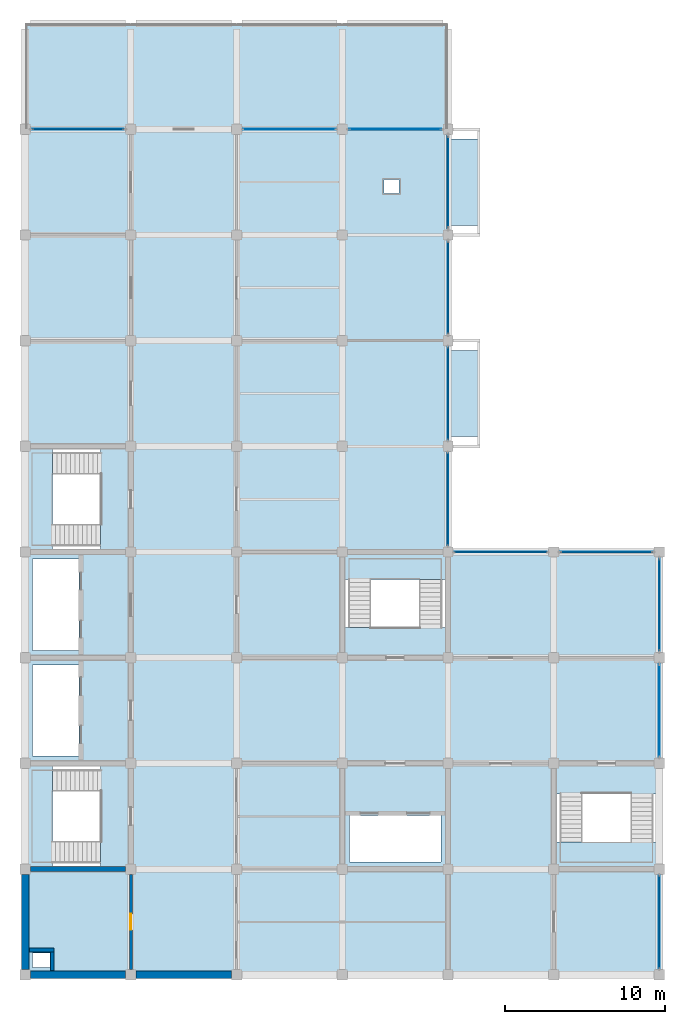
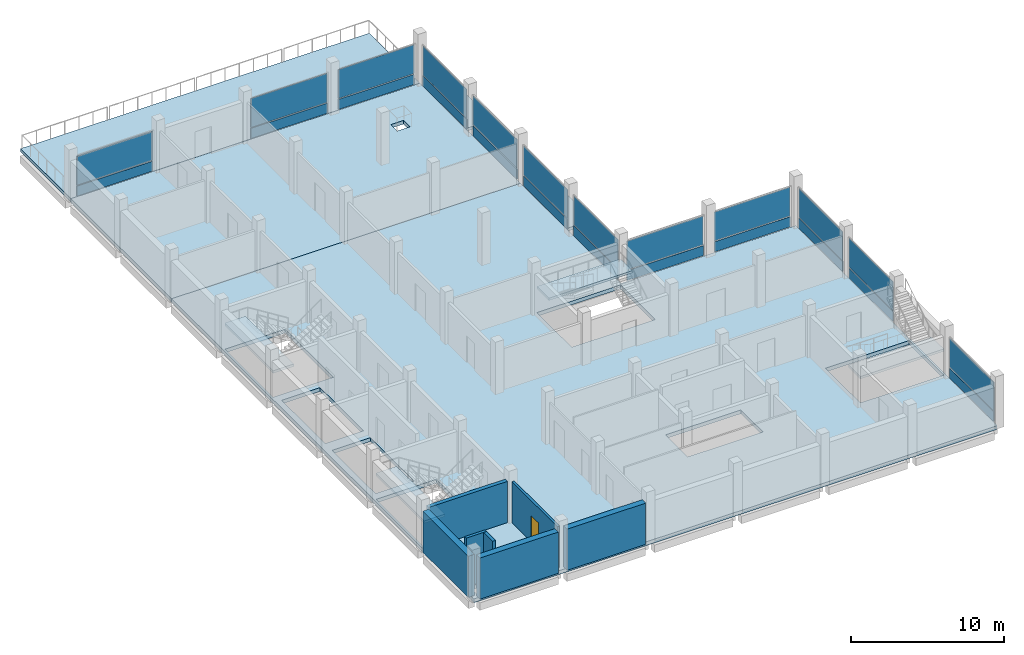
# One storey, part 6 of 11: 24 plates, 9 slabs, 7 walls, 1 door, 1 opening, 16 elements without a shape of their own.
"""IFC4 building model written with IfcOpenShell, lengths in metres."""

from ifc_helpers import new_model, si_unit, direction, frame, frame_2d, origin, origin_2d, place, context, subcontext, project, spatial, polyline, rectangle, outline, extrude, material, layer, layer_set, type_object, element, fill, aggregate, save


model = new_model("IFC4")

# Units and contexts
model_context = context("Model", 3, precision=1e-05, world=origin(), true_north=direction((0.0, 1.0)))
body_context = subcontext(model_context, "Body", "Model", "MODEL_VIEW")
ifc_project = project(units=[si_unit("LENGTHUNIT", "METRE"), si_unit("AREAUNIT", "SQUARE_METRE"), si_unit("VOLUMEUNIT", "CUBIC_METRE"), si_unit("PLANEANGLEUNIT", "RADIAN"), si_unit("MASSUNIT", "GRAM", prefix="KILO")], contexts=[model_context])

# Site, building, storey
site_placement = place(None, origin())
site = spatial("IfcSite", under=ifc_project, at=site_placement, CompositionType="ELEMENT")
building_placement = place(site_placement, origin())
building = spatial("IfcBuilding", under=site, at=building_placement, Name="Rusizi Kubbe Research Institute", CompositionType="ELEMENT")
storey_placement = place(building_placement, frame((0.0, 0.0, 56.39990234375)))
storey = spatial("IfcBuildingStorey", under=building, at=storey_placement, Name="L13", CompositionType="ELEMENT", Elevation=56.39990234375)

# Curtain wall, plate
ifc_material_1 = material(Name="Thermally Broken Aluminium and Low-E Glazing", Category="aluminium")
curtain_wall_type_1 = type_object("IfcCurtainWallType", Name="CW-15", PredefinedType="NOTDEFINED", material=ifc_material_1)
curtain_wall_1_placement = place(storey_placement, origin())
curtain_wall_1 = element("IfcCurtainWall", 1, at=curtain_wall_1_placement, inside=storey, type_object=curtain_wall_type_1, Name="Unitised Facade Curtain Wall CW-L13-H-02-08", PredefinedType="NOTDEFINED")
ifc_material_2 = material(Name="Double Low-E Solar Control Insulated Glass", Category="glass")
ifc_layer_1 = layer(ifc_material_2, 0.02392578125)
ifc_layer_set_1 = layer_set([ifc_layer_1], Name="Double Low-E Solar Control Insulated Glass")
plate_type_1 = type_object("IfcPlateType", Name="GL-01", PredefinedType="CURTAIN_PANEL", material=ifc_layer_set_1)
plate_1_placement = place(storey_placement, frame((16.5, 52.800048828125, 0.93017578125), z_axis=(0.0, 0.0, 1.0), x_axis=(1.0, 0.0, 0.0)))
plate_1 = element("IfcPlate", 2, at=plate_1_placement, type_object=plate_type_1, Name="CW-15 panel 1.2", PredefinedType="CURTAIN_PANEL", context=body_context, shape_type="SweptSolid", body=[
    extrude(rectangle(XDim=5.77001953125, YDim=0.02392578125, at=origin_2d()), origin(), (0.0, 0.0, 1.0), 2.31005859375),
])

curtain_wall_2_placement = place(storey_placement, origin())
curtain_wall_2 = element("IfcCurtainWall", 3, at=curtain_wall_2_placement, inside=storey, type_object=curtain_wall_type_1, Name="Unitised Facade Curtain Wall CW-L13-V-06-02", PredefinedType="NOTDEFINED")
plate_2_placement = place(storey_placement, frame((39.60009765625, 16.5, 0.93017578125), z_axis=(0.0, 0.0, 1.0), x_axis=(0.0, 1.0, 0.0)))
plate_2 = element("IfcPlate", 4, at=plate_2_placement, type_object=plate_type_1, Name="CW-15 panel 1.2", PredefinedType="CURTAIN_PANEL", context=body_context, shape_type="SweptSolid", body=[
    extrude(rectangle(XDim=5.760009765625, YDim=0.02392578125, at=origin_2d()), origin(), (0.0, 0.0, 1.0), 2.31005859375),
])

ifc_material_3 = material(Name="Thermally Broken Aluminium and Low-E Glazing", Category="aluminium")
curtain_wall_type_2 = type_object("IfcCurtainWallType", Name="CW-14", PredefinedType="NOTDEFINED", material=ifc_material_3)
curtain_wall_3_placement = place(storey_placement, origin())
curtain_wall_3 = element("IfcCurtainWall", 5, at=curtain_wall_3_placement, inside=storey, type_object=curtain_wall_type_2, Name="Unitised Facade Curtain Wall CW-L13-V-04-04", PredefinedType="NOTDEFINED")
ifc_material_4 = material(Name="Double Low-E Solar Control Insulated Glass", Category="glass")
ifc_layer_2 = layer(ifc_material_4, 0.028076171875)
ifc_layer_set_2 = layer_set([ifc_layer_2], Name="Double Low-E Solar Control Insulated Glass")
plate_type_2 = type_object("IfcPlateType", Name="GL-02", PredefinedType="CURTAIN_PANEL", material=ifc_layer_set_2)
plate_3_placement = place(storey_placement, frame((26.39990234375, 29.699951171875, 0.93017578125), z_axis=(0.0, 0.0, 1.0), x_axis=(0.0, 1.0, 0.0)))
plate_3 = element("IfcPlate", 6, at=plate_3_placement, type_object=plate_type_2, Name="CW-14 panel 1.2", PredefinedType="CURTAIN_PANEL", context=body_context, shape_type="SweptSolid", body=[
    extrude(rectangle(XDim=5.77001953125, YDim=0.028076171875, at=origin_2d()), origin(), (0.0, 0.0, 1.0), 2.31005859375),
])

curtain_wall_4_placement = place(storey_placement, origin())
curtain_wall_4 = element("IfcCurtainWall", 7, at=curtain_wall_4_placement, inside=storey, type_object=curtain_wall_type_2, Name="Unitised Facade Curtain Wall CW-L13-H-05-04", PredefinedType="NOTDEFINED")
plate_4_placement = place(storey_placement, frame((36.300048828125, 26.39990234375, 0.93017578125), z_axis=(0.0, 0.0, 1.0), x_axis=(1.0, 0.0, 0.0)))
plate_4 = element("IfcPlate", 8, at=plate_4_placement, type_object=plate_type_2, Name="CW-14 panel 1.2", PredefinedType="CURTAIN_PANEL", context=body_context, shape_type="SweptSolid", body=[
    extrude(rectangle(XDim=5.75, YDim=0.028076171875, at=origin_2d()), origin(), (0.0, 0.0, 1.0), 2.31005859375),
])

curtain_wall_5_placement = place(storey_placement, origin())
curtain_wall_5 = element("IfcCurtainWall", 9, at=curtain_wall_5_placement, inside=storey, type_object=curtain_wall_type_1, Name="Unitised Facade Curtain Wall CW-L13-V-04-05", PredefinedType="NOTDEFINED")
ifc_material_5 = material(Name="Double Low-E Solar Control Insulated Glass", Category="glass")
ifc_layer_3 = layer(ifc_material_5, 0.031982421875)
ifc_layer_set_3 = layer_set([ifc_layer_3], Name="Double Low-E Solar Control Insulated Glass")
plate_type_3 = type_object("IfcPlateType", Name="GL-03", PredefinedType="CURTAIN_PANEL", material=ifc_layer_set_3)
plate_5_placement = place(storey_placement, frame((26.39990234375, 36.300048828125, 0.9326171875), z_axis=(0.0, 0.0, 1.0), x_axis=(0.0, 1.0, 0.0)))
plate_5 = element("IfcPlate", 10, at=plate_5_placement, type_object=plate_type_3, Name="CW-15 panel 1.2", PredefinedType="CURTAIN_PANEL", context=body_context, shape_type="SweptSolid", body=[
    extrude(rectangle(XDim=5.760009765625, YDim=0.031982421875, at=origin_2d()), origin(), (0.0, 0.0, 1.0), 2.302490234375),
])

curtain_wall_6_placement = place(storey_placement, origin())
curtain_wall_6 = element("IfcCurtainWall", 11, at=curtain_wall_6_placement, inside=storey, type_object=curtain_wall_type_1, Name="Unitised Facade Curtain Wall CW-L13-V-06-03", PredefinedType="NOTDEFINED")
plate_6_placement = place(storey_placement, frame((39.60009765625, 23.10009765625, 0.9326171875), z_axis=(0.0, 0.0, 1.0), x_axis=(0.0, 1.0, 0.0)))
plate_6 = element("IfcPlate", 12, at=plate_6_placement, type_object=plate_type_3, Name="CW-15 panel 1.2", PredefinedType="CURTAIN_PANEL", context=body_context, shape_type="SweptSolid", body=[
    extrude(rectangle(XDim=5.739990234375, YDim=0.031982421875, at=origin_2d()), origin(), (0.0, 0.0, 1.0), 2.302490234375),
])

curtain_wall_7_placement = place(storey_placement, origin())
curtain_wall_7 = element("IfcCurtainWall", 13, at=curtain_wall_7_placement, inside=storey, type_object=curtain_wall_type_2, Name="Unitised Facade Curtain Wall CW-L13-V-04-06", PredefinedType="NOTDEFINED")
ifc_material_6 = material(Name="Double Low-E Solar Control Insulated Glass", Category="glass")
ifc_layer_4 = layer(ifc_material_6, 0.035888671875)
ifc_layer_set_4 = layer_set([ifc_layer_4], Name="Double Low-E Solar Control Insulated Glass")
plate_type_4 = type_object("IfcPlateType", Name="GL-04", PredefinedType="CURTAIN_PANEL", material=ifc_layer_set_4)
plate_7_placement = place(storey_placement, frame((26.39990234375, 42.89990234375, 0.93505859375), z_axis=(0.0, 0.0, 1.0), x_axis=(0.0, 1.0, 0.0)))
plate_7 = element("IfcPlate", 14, at=plate_7_placement, type_object=plate_type_4, Name="CW-14 panel 1.2", PredefinedType="CURTAIN_PANEL", context=body_context, shape_type="SweptSolid", body=[
    extrude(rectangle(XDim=5.75, YDim=0.035888671875, at=origin_2d()), origin(), (0.0, 0.0, 1.0), 2.294921875),
])

curtain_wall_8_placement = place(storey_placement, origin())
curtain_wall_8 = element("IfcCurtainWall", 15, at=curtain_wall_8_placement, inside=storey, type_object=curtain_wall_type_1, Name="Unitised Facade Curtain Wall CW-L13-H-03-08", PredefinedType="NOTDEFINED")
ifc_material_7 = material(Name="Double Low-E Solar Control Insulated Glass", Category="glass")
ifc_layer_5 = layer(ifc_material_7, 0.0400390625)
ifc_layer_set_5 = layer_set([ifc_layer_5], Name="Double Low-E Solar Control Insulated Glass")
plate_type_5 = type_object("IfcPlateType", Name="GL-05", PredefinedType="CURTAIN_PANEL", material=ifc_layer_set_5)
plate_8_placement = place(storey_placement, frame((23.10009765625, 52.800048828125, 0.93017578125), z_axis=(0.0, 0.0, 1.0), x_axis=(1.0, 0.0, 0.0)))
plate_8 = element("IfcPlate", 16, at=plate_8_placement, type_object=plate_type_5, Name="CW-15 panel 1.2", PredefinedType="CURTAIN_PANEL", context=body_context, shape_type="SweptSolid", body=[
    extrude(rectangle(XDim=5.739990234375, YDim=0.0400390625, at=origin_2d()), origin(), (0.0, 0.0, 1.0), 2.31005859375),
])

curtain_wall_9_placement = place(storey_placement, origin())
curtain_wall_9 = element("IfcCurtainWall", 17, at=curtain_wall_9_placement, inside=storey, type_object=curtain_wall_type_2, Name="Unitised Facade Curtain Wall CW-L13-V-04-07", PredefinedType="NOTDEFINED")
ifc_material_8 = material(Name="Double Low-E Solar Control Insulated Glass", Category="glass")
ifc_layer_6 = layer(ifc_material_8, 0.0439453125)
ifc_layer_set_6 = layer_set([ifc_layer_6], Name="Double Low-E Solar Control Insulated Glass")
plate_type_6 = type_object("IfcPlateType", Name="GL-06", PredefinedType="CURTAIN_PANEL", material=ifc_layer_set_6)
plate_9_placement = place(storey_placement, frame((26.39990234375, 49.5, 0.93017578125), z_axis=(0.0, 0.0, 1.0), x_axis=(0.0, 1.0, 0.0)))
plate_9 = element("IfcPlate", 18, at=plate_9_placement, type_object=plate_type_6, Name="CW-14 panel 1.2", PredefinedType="CURTAIN_PANEL", context=body_context, shape_type="SweptSolid", body=[
    extrude(rectangle(XDim=5.72998046875, YDim=0.0439453125, at=origin_2d()), origin(), (0.0, 0.0, 1.0), 2.31005859375),
])

curtain_wall_10_placement = place(storey_placement, origin())
curtain_wall_10 = element("IfcCurtainWall", 19, at=curtain_wall_10_placement, inside=storey, type_object=curtain_wall_type_1, Name="Unitised Facade Curtain Wall CW-L13-H-04-04", PredefinedType="NOTDEFINED")
ifc_material_9 = material(Name="Double Low-E Solar Control Insulated Glass", Category="glass")
ifc_layer_7 = layer(ifc_material_9, 0.048095703125)
ifc_layer_set_7 = layer_set([ifc_layer_7], Name="Double Low-E Solar Control Insulated Glass")
plate_type_7 = type_object("IfcPlateType", Name="GL-07", PredefinedType="CURTAIN_PANEL", material=ifc_layer_set_7)
plate_10_placement = place(storey_placement, frame((29.699951171875, 26.39990234375, 0.9326171875), z_axis=(0.0, 0.0, 1.0), x_axis=(1.0, 0.0, 0.0)))
plate_10 = element("IfcPlate", 20, at=plate_10_placement, type_object=plate_type_7, Name="CW-15 panel 1.2", PredefinedType="CURTAIN_PANEL", context=body_context, shape_type="SweptSolid", body=[
    extrude(rectangle(XDim=5.77001953125, YDim=0.048095703125, at=origin_2d()), origin(), (0.0, 0.0, 1.0), 2.302490234375),
])

curtain_wall_11_placement = place(storey_placement, origin())
curtain_wall_11 = element("IfcCurtainWall", 21, at=curtain_wall_11_placement, inside=storey, type_object=curtain_wall_type_2, Name="Unitised Facade Curtain Wall CW-L13-H-00-08", PredefinedType="NOTDEFINED")
ifc_material_10 = material(Name="Double Low-E Solar Control Insulated Glass", Category="glass")
ifc_layer_8 = layer(ifc_material_10, 0.052001953125)
ifc_layer_set_8 = layer_set([ifc_layer_8], Name="Double Low-E Solar Control Insulated Glass")
plate_type_8 = type_object("IfcPlateType", Name="GL-08", PredefinedType="CURTAIN_PANEL", material=ifc_layer_set_8)
plate_11_placement = place(storey_placement, frame((3.300048828125, 52.800048828125, 0.93505859375), z_axis=(0.0, 0.0, 1.0), x_axis=(1.0, 0.0, 0.0)))
plate_11 = element("IfcPlate", 22, at=plate_11_placement, type_object=plate_type_8, Name="CW-14 panel 1.2", PredefinedType="CURTAIN_PANEL", context=body_context, shape_type="SweptSolid", body=[
    extrude(rectangle(XDim=5.72998046875, YDim=0.052001953125, at=origin_2d()), origin(), (0.0, 0.0, 1.0), 2.294921875),
])

curtain_wall_12_placement = place(storey_placement, origin())
curtain_wall_12 = element("IfcCurtainWall", 23, at=curtain_wall_12_placement, inside=storey, type_object=curtain_wall_type_2, Name="Unitised Facade Curtain Wall CW-L13-V-06-00", PredefinedType="NOTDEFINED")
plate_12_placement = place(storey_placement, frame((39.60009765625, 3.300048828125, 0.93505859375), z_axis=(0.0, 0.0, 1.0), x_axis=(0.0, 1.0, 0.0)))
plate_12 = element("IfcPlate", 24, at=plate_12_placement, type_object=plate_type_8, Name="CW-14 panel 1.2", PredefinedType="CURTAIN_PANEL", context=body_context, shape_type="SweptSolid", body=[
    extrude(rectangle(XDim=5.77001953125, YDim=0.052001953125, at=origin_2d()), origin(), (0.0, 0.0, 1.0), 2.294921875),
])

# Slabs
ifc_material_11 = material(Name="Concrete C40/50", Category="concrete")
ifc_layer_9 = layer(ifc_material_11, 0.300048828125)
ifc_layer_set_9 = layer_set([ifc_layer_9], Name="Concrete C40/50")
slab_type_1 = type_object("IfcSlabType", Name="SL-F300", PredefinedType="FLOOR", material=ifc_layer_set_9)
slab_1_placement = place(storey_placement, frame((0.0, 0.0, -0.2998046875)))
element("IfcSlab", 25, at=slab_1_placement, inside=storey, type_object=slab_type_1, Name="Structural Slab L13 CORE", PredefinedType="FLOOR", context=body_context, shape_type="SweptSolid", body=[
    extrude(outline(polyline([(0.0, 33.0), (0.0, 39.60009765625), (6.60009765625, 39.60009765625), (13.199951171875, 39.60009765625), (19.800048828125, 39.60009765625), (26.39990234375, 39.60009765625), (26.39990234375, 33.0), (26.39990234375, 26.39990234375), (33.0, 26.39990234375), (39.60009765625, 26.39990234375), (39.60009765625, 19.800048828125), (39.60009765625, 13.199951171875), (39.60009765625, 6.60009765625), (39.60009765625, 0.0), (33.0, 0.0), (26.39990234375, 0.0), (19.800048828125, 0.0), (13.199951171875, 0.0), (6.60009765625, 0.0), (0.0, 0.0), (0.0, 6.60009765625), (0.0, 13.199951171875), (0.0, 19.800048828125), (0.0, 26.39990234375), (0.0, 33.0)]), holes=[polyline([(0.449951171875, 1.35009765625), (0.449951171875, 0.449951171875), (1.550048828125, 0.449951171875), (1.550048828125, 1.35009765625), (0.449951171875, 1.35009765625)]), polyline([(20.25, 9.949951171875), (20.25, 7.050048828125), (25.949951171875, 7.050048828125), (25.949951171875, 9.949951171875), (20.25, 9.949951171875)]), polyline([(33.139892578125, 11.300048828125), (33.139892578125, 6.739990234375), (39.4599609375, 6.739990234375), (39.4599609375, 11.300048828125), (33.139892578125, 11.300048828125)]), polyline([(0.139892578125, 13.06005859375), (0.139892578125, 6.739990234375), (4.699951171875, 6.739990234375), (4.699951171875, 13.06005859375), (0.139892578125, 13.06005859375)]), polyline([(0.449951171875, 19.35009765625), (0.449951171875, 13.64990234375), (3.35009765625, 13.64990234375), (3.35009765625, 19.35009765625), (0.449951171875, 19.35009765625)]), polyline([(0.449951171875, 25.949951171875), (0.449951171875, 20.25), (3.35009765625, 20.25), (3.35009765625, 25.949951171875), (0.449951171875, 25.949951171875)]), polyline([(19.93994140625, 26.260009765625), (19.93994140625, 21.699951171875), (26.260009765625, 21.699951171875), (26.260009765625, 26.260009765625), (19.93994140625, 26.260009765625)]), polyline([(0.139892578125, 32.860107421875), (0.139892578125, 26.5400390625), (4.699951171875, 26.5400390625), (4.699951171875, 32.860107421875), (0.139892578125, 32.860107421875)])]), origin(), (0.0, 0.0, 1.0), 0.2998046875),
])
slab_2_placement = place(storey_placement, frame((0.0, 0.0, -0.2998046875)))
element("IfcSlab", 26, at=slab_2_placement, inside=storey, type_object=slab_type_1, Name="Structural Slab L13 NORTHA", PredefinedType="FLOOR", context=body_context, shape_type="SweptSolid", body=[
    extrude(outline(polyline([(19.800048828125, 39.60009765625), (13.199951171875, 39.60009765625), (6.60009765625, 39.60009765625), (0.0, 39.60009765625), (0.0, 46.199951171875), (0.0, 52.800048828125), (6.60009765625, 52.800048828125), (13.199951171875, 52.800048828125), (19.800048828125, 52.800048828125), (26.39990234375, 52.800048828125), (26.39990234375, 46.199951171875), (26.39990234375, 39.60009765625), (19.800048828125, 39.60009765625)]), holes=[polyline([(23.35009765625, 49.64990234375), (22.39990234375, 49.64990234375), (22.39990234375, 48.800048828125), (23.35009765625, 48.800048828125), (23.35009765625, 49.64990234375)])]), origin(), (0.0, 0.0, 1.0), 0.2998046875),
])

# Stair, slab
ifc_material_12 = material(Name="Concrete C40/50", Category="concrete")
stair_type_1 = type_object("IfcStairType", Name="ST-H420A", PredefinedType="HALF_TURN_STAIR", material=ifc_material_12)
stair_1_placement = place(storey_placement, origin())
stair_1 = element("IfcStair", 27, at=stair_1_placement, inside=storey, type_object=stair_type_1, Name="Protected Exit Stair ST1 (L13)", PredefinedType="HALF_TURN_STAIR")
ifc_material_13 = material(Name="Concrete C40/50", Category="concrete")
ifc_layer_10 = layer(ifc_material_13, 0.195068359375)
ifc_layer_set_10 = layer_set([ifc_layer_10], Name="Concrete C40/50")
slab_type_2 = type_object("IfcSlabType", Name="SL-L195", PredefinedType="LANDING", material=ifc_layer_set_10)
slab_3_placement = place(storey_placement, frame((0.0, 0.0, 1.905029296875)))
slab_3 = element("IfcSlab", 28, at=slab_3_placement, type_object=slab_type_2, Name="ST1 landing 1", PredefinedType="LANDING", context=body_context, shape_type="SweptSolid", body=[
    extrude(outline(polyline([(1.7060546875, 13.06005859375), (0.139892578125, 13.06005859375), (0.139892578125, 6.739990234375), (1.7060546875, 6.739990234375), (1.7060546875, 13.06005859375)])), origin(), (0.0, 0.0, 1.0), 0.195068359375),
])
aggregate(stair_1, [slab_3])

stair_2_placement = place(storey_placement, origin())
stair_2 = element("IfcStair", 29, at=stair_2_placement, inside=storey, type_object=stair_type_1, Name="Protected Exit Stair ST2 (L13)", PredefinedType="HALF_TURN_STAIR")
slab_4_placement = place(storey_placement, frame((0.0, 0.0, 1.905029296875)))
slab_4 = element("IfcSlab", 30, at=slab_4_placement, type_object=slab_type_2, Name="ST2 landing 1", PredefinedType="LANDING", context=body_context, shape_type="SweptSolid", body=[
    extrude(outline(polyline([(1.7060546875, 32.860107421875), (0.139892578125, 32.860107421875), (0.139892578125, 26.5400390625), (1.7060546875, 26.5400390625), (1.7060546875, 32.860107421875)])), origin(), (0.0, 0.0, 1.0), 0.195068359375),
])
aggregate(stair_2, [slab_4])

ifc_material_14 = material(Name="Concrete C40/50", Category="concrete")
stair_type_2 = type_object("IfcStairType", Name="ST-H420B", PredefinedType="HALF_TURN_STAIR", material=ifc_material_14)
stair_3_placement = place(storey_placement, origin())
stair_3 = element("IfcStair", 31, at=stair_3_placement, inside=storey, type_object=stair_type_2, Name="Protected Exit Stair ST3 (L13)", PredefinedType="HALF_TURN_STAIR")
slab_5_placement = place(storey_placement, frame((0.0, 0.0, 1.905029296875)))
slab_5 = element("IfcSlab", 32, at=slab_5_placement, type_object=slab_type_2, Name="ST3 landing 1", PredefinedType="LANDING", context=body_context, shape_type="SweptSolid", body=[
    extrude(outline(polyline([(26.260009765625, 24.694091796875), (26.260009765625, 26.260009765625), (19.93994140625, 26.260009765625), (19.93994140625, 24.694091796875), (26.260009765625, 24.694091796875)])), origin(), (0.0, 0.0, 1.0), 0.195068359375),
])
aggregate(stair_3, [slab_5])

stair_4_placement = place(storey_placement, origin())
stair_4 = element("IfcStair", 33, at=stair_4_placement, inside=storey, type_object=stair_type_2, Name="Protected Exit Stair ST4 (L13)", PredefinedType="HALF_TURN_STAIR")
slab_6_placement = place(storey_placement, frame((0.0, 0.0, 1.905029296875)))
slab_6 = element("IfcSlab", 34, at=slab_6_placement, type_object=slab_type_2, Name="ST4 landing 1", PredefinedType="LANDING", context=body_context, shape_type="SweptSolid", body=[
    extrude(outline(polyline([(33.139892578125, 8.305908203125), (33.139892578125, 6.739990234375), (39.4599609375, 6.739990234375), (39.4599609375, 8.305908203125), (33.139892578125, 8.305908203125)])), origin(), (0.0, 0.0, 1.0), 0.195068359375),
])
aggregate(stair_4, [slab_6])

# Slabs
ifc_material_15 = material(Name="Concrete C40/50", Category="concrete")
ifc_layer_11 = layer(ifc_material_15, 0.235107421875)
ifc_layer_set_11 = layer_set([ifc_layer_11], Name="Concrete C40/50")
slab_type_3 = type_object("IfcSlabType", Name="SL-R235", PredefinedType="ROOF", material=ifc_layer_set_11)
slab_7_placement = place(storey_placement, frame((0.0, 0.0, -0.23486328125)))
element("IfcSlab", 35, at=slab_7_placement, inside=storey, type_object=slab_type_3, Name="Cumba Oriel Roof Cap L12 (4,5)", PredefinedType="ROOF", context=body_context, shape_type="SweptSolid", body=[
    extrude(outline(polyline([(26.39990234375, 33.60009765625), (28.39990234375, 33.60009765625), (28.39990234375, 39.0), (26.39990234375, 39.0), (26.39990234375, 33.60009765625)])), origin(), (0.0, 0.0, 1.0), 0.23486328125),
])
slab_8_placement = place(storey_placement, frame((0.0, 0.0, -0.23486328125)))
element("IfcSlab", 36, at=slab_8_placement, inside=storey, type_object=slab_type_3, Name="Cumba Oriel Roof Cap L12 (4,7)", PredefinedType="ROOF", context=body_context, shape_type="SweptSolid", body=[
    extrude(outline(polyline([(26.39990234375, 46.800048828125), (28.39990234375, 46.800048828125), (28.39990234375, 52.199951171875), (26.39990234375, 52.199951171875), (26.39990234375, 46.800048828125)])), origin(), (0.0, 0.0, 1.0), 0.23486328125),
])
ifc_material_16 = material(Name="Concrete C40/50", Category="concrete")
ifc_layer_12 = layer(ifc_material_16, 0.264892578125)
ifc_layer_set_12 = layer_set([ifc_layer_12], Name="Concrete C40/50")
slab_type_4 = type_object("IfcSlabType", Name="SL-T265", PredefinedType="FLOOR", material=ifc_layer_set_12)
slab_9_placement = place(storey_placement, frame((0.0, 0.0, -0.264892578125)))
element("IfcSlab", 37, at=slab_9_placement, inside=storey, type_object=slab_type_4, Name="Walkable Roof Terrace Slab L13-1", PredefinedType="FLOOR", context=body_context, shape_type="SweptSolid", body=[
    extrude(outline(polyline([(6.60009765625, 59.39990234375), (13.199951171875, 59.39990234375), (19.800048828125, 59.39990234375), (26.39990234375, 59.39990234375), (26.39990234375, 52.804931640625), (0.0, 52.804931640625), (0.0, 59.39990234375), (6.60009765625, 59.39990234375)])), origin(), (0.0, 0.0, 1.0), 0.264892578125),
])

# Plate
ifc_material_17 = material(Name="Ceramic-Frit Insulated Spandrel Panel", Category="glass")
ifc_layer_13 = layer(ifc_material_17, 0.05810546875)
ifc_layer_set_13 = layer_set([ifc_layer_13], Name="Ceramic-Frit Insulated Spandrel Panel")
plate_type_9 = type_object("IfcPlateType", Name="SP-01", PredefinedType="CURTAIN_PANEL", material=ifc_layer_set_13)
plate_13_placement = place(storey_placement, frame((16.5, 52.800048828125, 0.06005859375), z_axis=(0.0, 0.0, 1.0), x_axis=(1.0, 0.0, 0.0)))
plate_13 = element("IfcPlate", 38, at=plate_13_placement, type_object=plate_type_9, Name="CW-15 panel 1.1", PredefinedType="CURTAIN_PANEL", context=body_context, shape_type="SweptSolid", body=[
    extrude(rectangle(XDim=5.77001953125, YDim=0.05810546875, at=origin_2d()), origin(), (0.0, 0.0, 1.0), 0.81005859375),
])

aggregate(curtain_wall_1, [plate_13, plate_1])

plate_14_placement = place(storey_placement, frame((23.10009765625, 52.800048828125, 0.06005859375), z_axis=(0.0, 0.0, 1.0), x_axis=(1.0, 0.0, 0.0)))
plate_14 = element("IfcPlate", 39, at=plate_14_placement, type_object=plate_type_9, Name="CW-15 panel 1.1", PredefinedType="CURTAIN_PANEL", context=body_context, shape_type="SweptSolid", body=[
    extrude(rectangle(XDim=5.739990234375, YDim=0.05810546875, at=origin_2d()), origin(), (0.0, 0.0, 1.0), 0.81005859375),
])

aggregate(curtain_wall_8, [plate_14, plate_8])

plate_15_placement = place(storey_placement, frame((39.60009765625, 16.5, 0.06005859375), z_axis=(0.0, 0.0, 1.0), x_axis=(0.0, 1.0, 0.0)))
plate_15 = element("IfcPlate", 40, at=plate_15_placement, type_object=plate_type_9, Name="CW-15 panel 1.1", PredefinedType="CURTAIN_PANEL", context=body_context, shape_type="SweptSolid", body=[
    extrude(rectangle(XDim=5.760009765625, YDim=0.05810546875, at=origin_2d()), origin(), (0.0, 0.0, 1.0), 0.81005859375),
])

aggregate(curtain_wall_2, [plate_15, plate_2])

ifc_material_18 = material(Name="Ceramic-Frit Insulated Spandrel Panel", Category="glass")
ifc_layer_14 = layer(ifc_material_18, 0.06396484375)
ifc_layer_set_14 = layer_set([ifc_layer_14], Name="Ceramic-Frit Insulated Spandrel Panel")
plate_type_10 = type_object("IfcPlateType", Name="SP-02", PredefinedType="CURTAIN_PANEL", material=ifc_layer_set_14)
plate_16_placement = place(storey_placement, frame((26.39990234375, 29.699951171875, 0.06005859375), z_axis=(0.0, 0.0, 1.0), x_axis=(0.0, 1.0, 0.0)))
plate_16 = element("IfcPlate", 41, at=plate_16_placement, type_object=plate_type_10, Name="CW-14 panel 1.1", PredefinedType="CURTAIN_PANEL", context=body_context, shape_type="SweptSolid", body=[
    extrude(rectangle(XDim=5.77001953125, YDim=0.06396484375, at=origin_2d()), origin(), (0.0, 0.0, 1.0), 0.81005859375),
])

aggregate(curtain_wall_3, [plate_16, plate_3])

plate_17_placement = place(storey_placement, frame((26.39990234375, 49.5, 0.06005859375), z_axis=(0.0, 0.0, 1.0), x_axis=(0.0, 1.0, 0.0)))
plate_17 = element("IfcPlate", 42, at=plate_17_placement, type_object=plate_type_10, Name="CW-14 panel 1.1", PredefinedType="CURTAIN_PANEL", context=body_context, shape_type="SweptSolid", body=[
    extrude(rectangle(XDim=5.72998046875, YDim=0.06396484375, at=origin_2d()), origin(), (0.0, 0.0, 1.0), 0.81005859375),
])

aggregate(curtain_wall_9, [plate_17, plate_9])

plate_18_placement = place(storey_placement, frame((36.300048828125, 26.39990234375, 0.06005859375), z_axis=(0.0, 0.0, 1.0), x_axis=(1.0, 0.0, 0.0)))
plate_18 = element("IfcPlate", 43, at=plate_18_placement, type_object=plate_type_10, Name="CW-14 panel 1.1", PredefinedType="CURTAIN_PANEL", context=body_context, shape_type="SweptSolid", body=[
    extrude(rectangle(XDim=5.75, YDim=0.06396484375, at=origin_2d()), origin(), (0.0, 0.0, 1.0), 0.81005859375),
])

aggregate(curtain_wall_4, [plate_18, plate_4])

ifc_material_19 = material(Name="Ceramic-Frit Insulated Spandrel Panel", Category="glass")
ifc_layer_15 = layer(ifc_material_19, 0.070068359375)
ifc_layer_set_15 = layer_set([ifc_layer_15], Name="Ceramic-Frit Insulated Spandrel Panel")
plate_type_11 = type_object("IfcPlateType", Name="SP-03", PredefinedType="CURTAIN_PANEL", material=ifc_layer_set_15)
plate_19_placement = place(storey_placement, frame((26.39990234375, 36.300048828125, 0.06494140625), z_axis=(0.0, 0.0, 1.0), x_axis=(0.0, 1.0, 0.0)))
plate_19 = element("IfcPlate", 44, at=plate_19_placement, type_object=plate_type_11, Name="CW-15 panel 1.1", PredefinedType="CURTAIN_PANEL", context=body_context, shape_type="SweptSolid", body=[
    extrude(rectangle(XDim=5.760009765625, YDim=0.070068359375, at=origin_2d()), origin(), (0.0, 0.0, 1.0), 0.802490234375),
])

aggregate(curtain_wall_5, [plate_19, plate_5])

plate_20_placement = place(storey_placement, frame((29.699951171875, 26.39990234375, 0.06494140625), z_axis=(0.0, 0.0, 1.0), x_axis=(1.0, 0.0, 0.0)))
plate_20 = element("IfcPlate", 45, at=plate_20_placement, type_object=plate_type_11, Name="CW-15 panel 1.1", PredefinedType="CURTAIN_PANEL", context=body_context, shape_type="SweptSolid", body=[
    extrude(rectangle(XDim=5.77001953125, YDim=0.070068359375, at=origin_2d()), origin(), (0.0, 0.0, 1.0), 0.802490234375),
])

aggregate(curtain_wall_10, [plate_20, plate_10])

plate_21_placement = place(storey_placement, frame((39.60009765625, 23.10009765625, 0.06494140625), z_axis=(0.0, 0.0, 1.0), x_axis=(0.0, 1.0, 0.0)))
plate_21 = element("IfcPlate", 46, at=plate_21_placement, type_object=plate_type_11, Name="CW-15 panel 1.1", PredefinedType="CURTAIN_PANEL", context=body_context, shape_type="SweptSolid", body=[
    extrude(rectangle(XDim=5.739990234375, YDim=0.070068359375, at=origin_2d()), origin(), (0.0, 0.0, 1.0), 0.802490234375),
])

aggregate(curtain_wall_6, [plate_21, plate_6])

ifc_material_20 = material(Name="Ceramic-Frit Insulated Spandrel Panel", Category="glass")
ifc_layer_16 = layer(ifc_material_20, 0.075927734375)
ifc_layer_set_16 = layer_set([ifc_layer_16], Name="Ceramic-Frit Insulated Spandrel Panel")
plate_type_12 = type_object("IfcPlateType", Name="SP-04", PredefinedType="CURTAIN_PANEL", material=ifc_layer_set_16)
plate_22_placement = place(storey_placement, frame((3.300048828125, 52.800048828125, 0.070068359375), z_axis=(0.0, 0.0, 1.0), x_axis=(1.0, 0.0, 0.0)))
plate_22 = element("IfcPlate", 47, at=plate_22_placement, type_object=plate_type_12, Name="CW-14 panel 1.1", PredefinedType="CURTAIN_PANEL", context=body_context, shape_type="SweptSolid", body=[
    extrude(rectangle(XDim=5.72998046875, YDim=0.075927734375, at=origin_2d()), origin(), (0.0, 0.0, 1.0), 0.794921875),
])

aggregate(curtain_wall_11, [plate_22, plate_11])

plate_23_placement = place(storey_placement, frame((26.39990234375, 42.89990234375, 0.070068359375), z_axis=(0.0, 0.0, 1.0), x_axis=(0.0, 1.0, 0.0)))
plate_23 = element("IfcPlate", 48, at=plate_23_placement, type_object=plate_type_12, Name="CW-14 panel 1.1", PredefinedType="CURTAIN_PANEL", context=body_context, shape_type="SweptSolid", body=[
    extrude(rectangle(XDim=5.75, YDim=0.075927734375, at=origin_2d()), origin(), (0.0, 0.0, 1.0), 0.794921875),
])

aggregate(curtain_wall_7, [plate_23, plate_7])

plate_24_placement = place(storey_placement, frame((39.60009765625, 3.300048828125, 0.070068359375), z_axis=(0.0, 0.0, 1.0), x_axis=(0.0, 1.0, 0.0)))
plate_24 = element("IfcPlate", 49, at=plate_24_placement, type_object=plate_type_12, Name="CW-14 panel 1.1", PredefinedType="CURTAIN_PANEL", context=body_context, shape_type="SweptSolid", body=[
    extrude(rectangle(XDim=5.77001953125, YDim=0.075927734375, at=origin_2d()), origin(), (0.0, 0.0, 1.0), 0.794921875),
])

aggregate(curtain_wall_12, [plate_24, plate_12])

# Walls
ifc_material_21 = material(Name="Concrete C40/50", Category="concrete")
ifc_layer_17 = layer(ifc_material_21, 0.294921875)
ifc_layer_set_17 = layer_set([ifc_layer_17], Name="Concrete C40/50")
wall_type_1 = type_object("IfcWallType", Name="CRW-03", PredefinedType="SHEAR", material=ifc_layer_set_17)
wall_1_placement = place(storey_placement, frame((0.324951171875, 6.60009765625, 0.0), z_axis=(0.0, 0.0, 1.0), x_axis=(1.0, 0.0, 0.0)))
element("IfcWall", 50, at=wall_1_placement, inside=storey, type_object=wall_type_1, Name="Stair Core Shear Wall ST1 L13 S", PredefinedType="SHEAR", context=body_context, shape_type="SweptSolid", body=[
    extrude(rectangle(XDim=5.949951171875, YDim=0.294921875, at=frame_2d((2.97509765625, 0.0))), origin(), (0.0, 0.0, 1.0), 3.300048828125),
])
ifc_material_22 = material(Name="Concrete Blockwork Fire Partition", Category="masonry")
ifc_layer_18 = layer(ifc_material_22, 0.22509765625)
ifc_layer_set_18 = layer_set([ifc_layer_18], Name="Concrete Blockwork Fire Partition")
wall_type_2 = type_object("IfcWallType", Name="IW-01", PredefinedType="PARTITIONING", material=ifc_layer_set_18)
wall_2_placement = place(storey_placement, frame((1.679931640625, 0.260009765625, 0.0), z_axis=(0.0, 0.0, 1.0), x_axis=(0.0, 1.0, 0.0)))
element("IfcWall", 51, at=wall_2_placement, inside=storey, type_object=wall_type_2, Name="Riser Shaft Wall E L13", PredefinedType="PARTITIONING", context=body_context, shape_type="SweptSolid", body=[
    extrude(rectangle(XDim=1.169921875, YDim=0.22509765625, at=frame_2d((0.5849609375, 0.0))), origin(), (0.0, 0.0, 1.0), 3.900146484375),
])
wall_3_placement = place(storey_placement, frame((0.260009765625, 1.550048828125, 0.0), z_axis=(0.0, 0.0, 1.0), x_axis=(1.0, 0.0, 0.0)))
element("IfcWall", 52, at=wall_3_placement, inside=storey, type_object=wall_type_2, Name="Riser Shaft Wall N L13", PredefinedType="PARTITIONING", context=body_context, shape_type="SweptSolid", body=[
    extrude(rectangle(XDim=1.5400390625, YDim=0.22509765625, at=frame_2d((0.77001953125, 0.0))), origin(), (0.0, 0.0, 1.0), 3.900146484375),
])

# Wall, opening, door
ifc_material_23 = material(Name="Acoustic Laboratory Partition", Category="masonry")
ifc_layer_19 = layer(ifc_material_23, 0.175048828125)
ifc_layer_set_19 = layer_set([ifc_layer_19], Name="Acoustic Laboratory Partition")
wall_type_3 = type_object("IfcWallType", Name="IW-03", PredefinedType="PARTITIONING", material=ifc_layer_set_19)
wall_4_placement = place(storey_placement, frame((6.60009765625, 0.324951171875, 0.0), z_axis=(0.0, 0.0, 1.0), x_axis=(0.0, 1.0, 0.0)))
wall_4 = element("IfcWall", 53, at=wall_4_placement, inside=storey, type_object=wall_type_3, Name="Interior Partition Wall L13 V1-0", PredefinedType="PARTITIONING", context=body_context, shape_type="SweptSolid", body=[
    extrude(rectangle(XDim=5.949951171875, YDim=0.175048828125, at=frame_2d((2.97509765625, 0.0))), origin(), (0.0, 0.0, 1.0), 3.300048828125),
])
opening_placement = place(wall_4_placement, frame((2.47509765625, 0.0, 0.0)))
opening = element("IfcOpeningElement", 54, at=opening_placement, cuts=wall_4, Name="Opening D-04", PredefinedType="OPENING", context=body_context, shape_type="SweptSolid", body=[
    extrude(rectangle(XDim=1.0, YDim=2.10009765625, at=frame_2d((0.5, 1.050048828125))), frame((0.0, 0.097412109375, 0.0), z_axis=(0.0, -1.0, 0.0), x_axis=(1.0, 0.0, 0.0)), (0.0, 0.0, 1.0), 0.195068359375),
])
ifc_material_24 = material(Name="Fire-Rated Steel Frame and Acoustic Timber Leaf", Category="wood")
door_type = type_object("IfcDoorType", Name="ID-MEP-100", OperationType="NOTDEFINED", PredefinedType="DOOR", material=ifc_material_24)
door_placement = place(opening_placement, origin())
door = element("IfcDoor", 55, at=door_placement, inside=storey, type_object=door_type, Name="Door to Service Spine Utility Riser Room (L13-MEP-01)", OperationType="SINGLE_SWING_RIGHT", OverallHeight=2.10009765625, OverallWidth=1.0, PredefinedType="DOOR", context=body_context, shape_type="SweptSolid", body=[
    extrude(rectangle(XDim=1.0, YDim=2.10009765625, at=frame_2d((0.5, 1.050048828125))), frame((0.0, 0.02490234375, 0.0), z_axis=(0.0, -1.0, 0.0), x_axis=(1.0, 0.0, 0.0)), (0.0, 0.0, 1.0), 0.050048828125),
])
fill(opening, door)

# Walls
ifc_material_25 = material(Name="Concrete C40/50", Category="concrete")
ifc_layer_20 = layer(ifc_material_25, 0.4599609375)
ifc_layer_set_20 = layer_set([ifc_layer_20], Name="Concrete C40/50")
wall_type_4 = type_object("IfcWallType", Name="PW-02", PredefinedType="SOLIDWALL", material=ifc_layer_set_20)
for number, where, z_axis, x_axis, name in (
    (56, (0.324951171875, 0.0, 0.0), (0.0, 0.0, 1.0), (1.0, 0.0, 0.0), "Blind Party Wall L13 H0-0"),
    (57, (0.0, 0.324951171875, 0.0), (0.0, 0.0, 1.0), (0.0, 1.0, 0.0), "Blind Party Wall L13 V0-0"),
    (58, (6.925048828125, 0.0, 0.0), (0.0, 0.0, 1.0), (1.0, 0.0, 0.0), "Blind Party Wall L13 H1-0"),
):
    element("IfcWall", number, at=place(storey_placement, frame(where, z_axis=z_axis, x_axis=x_axis)), inside=storey, type_object=wall_type_4, Name=name, PredefinedType="SOLIDWALL", context=body_context, shape_type="SweptSolid", body=[
        extrude(rectangle(XDim=5.949951171875, YDim=0.4599609375, at=frame_2d((2.97509765625, 0.0))), origin(), (0.0, 0.0, 1.0), 3.300048828125),
    ])

save(model, "model.ifc")
